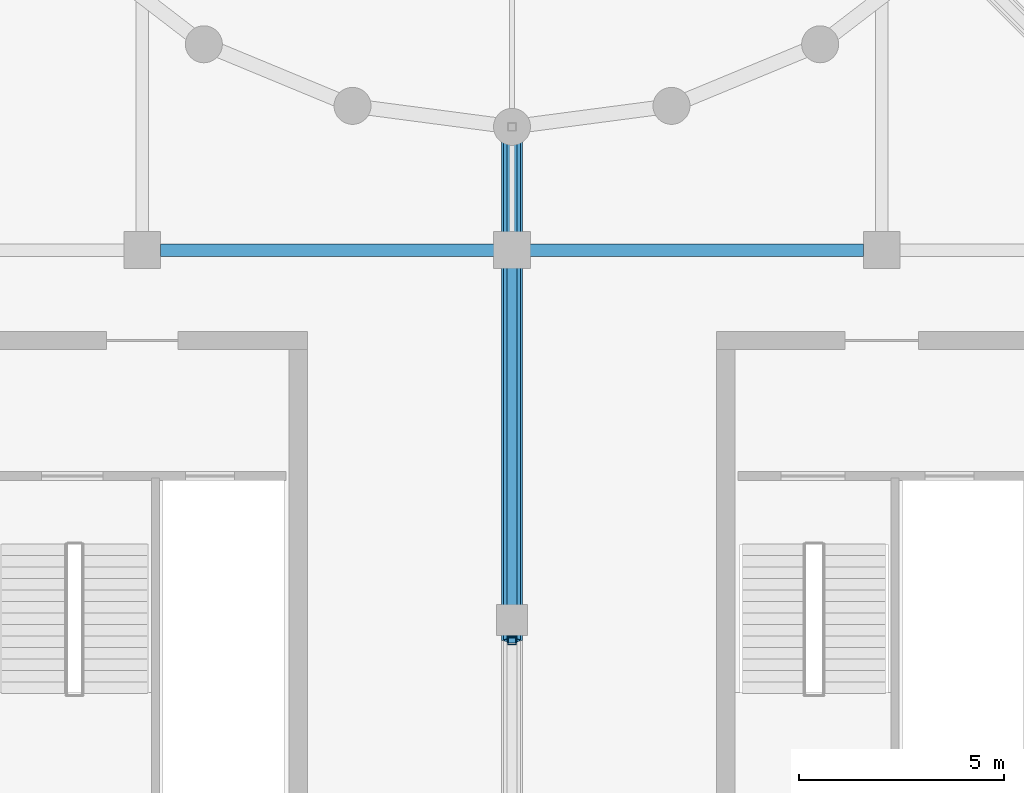
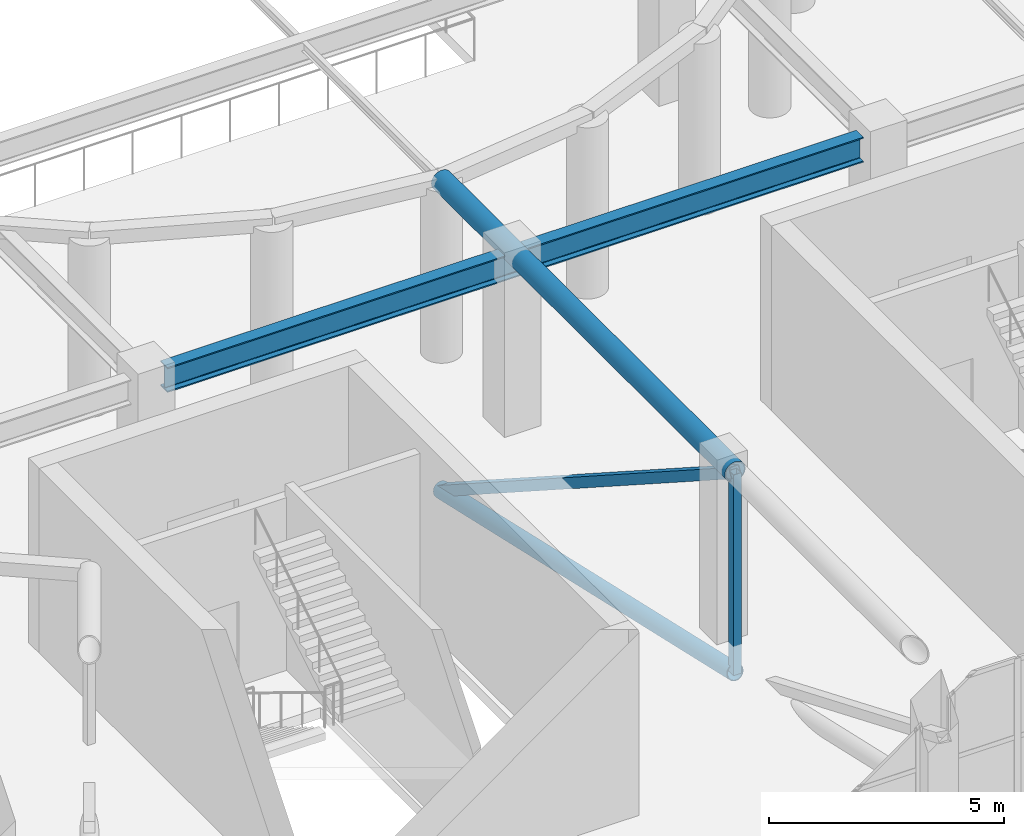
# One storey, part 30 of 167: 4 members, 1 beam.
"""IFC4 building model written with IfcOpenShell, lengths in metres."""

from ifc_helpers import new_model, si_unit, direction, frame, origin, origin_2d, place, context, subcontext, project, spatial, hollow_rectangle, hollow_circle, i_section, extrude, material, material_profile, profile_set, type_object, element, save


model = new_model("IFC4")

# Units and contexts
model_context = context("Model", 3, precision=1e-05, world=origin(), true_north=direction((0.0, 1.0)))
body_context = subcontext(model_context, "Body", "Model", "MODEL_VIEW")
ifc_project = project(units=[si_unit("LENGTHUNIT", "METRE"), si_unit("AREAUNIT", "SQUARE_METRE"), si_unit("VOLUMEUNIT", "CUBIC_METRE"), si_unit("PLANEANGLEUNIT", "RADIAN"), si_unit("MASSUNIT", "GRAM", prefix="KILO")], contexts=[model_context])

# Site, building, storey
site_placement = place(None, origin())
site = spatial("IfcSite", under=ifc_project, at=site_placement, CompositionType="ELEMENT")
building_placement = place(site_placement, origin())
building = spatial("IfcBuilding", under=site, at=building_placement, Name="Dornveld Trade and Exhibition Forum", CompositionType="ELEMENT")
storey_placement = place(building_placement, frame((0.0, 0.0, 16.800048828125)))
storey = spatial("IfcBuildingStorey", under=building, at=storey_placement, Name="L03", CompositionType="ELEMENT", Elevation=16.800048828125)

# Beam
ifc_material_1 = material(Name="Steel S355J2", Category="steel")
ifc_material_profile_1 = material_profile(ifc_material_1, i_section(OverallWidth=0.300048828125, OverallDepth=0.64990234375, WebThickness=0.01611328125, FlangeThickness=0.031005859375, FilletRadius=0.027099609375, at=origin_2d()), Name="HEB 650")
ifc_profile_set_1 = profile_set([ifc_material_profile_1], Name="Steel S355J2")
beam_type = type_object("IfcBeamType", Name="BM-GIR-HEB650", PredefinedType="USERDEFINED", material=ifc_profile_set_1)
beam_placement = place(storey_placement, frame((108.446044921875, 63.0, 4.15283203125), z_axis=(1.0, 0.0, 0.0), x_axis=(0.0, 1.0, 0.0)))
element("IfcBeam", 1, at=beam_placement, inside=storey, type_object=beam_type, Name="L03 X-girder 1652", ObjectType="GIRDER", PredefinedType="USERDEFINED", context=body_context, shape_type="SweptSolid", body=[
    extrude(i_section(OverallWidth=0.300048828125, OverallDepth=0.64990234375, WebThickness=0.01611328125, FlangeThickness=0.031005859375, FilletRadius=0.027099609375, at=origin_2d()), origin(), (0.0, 0.0, 1.0), 17.10791015625),
])

# Members
ifc_material_2 = material(Name="Steel S355J2", Category="steel")
ifc_material_profile_2 = material_profile(ifc_material_2, hollow_circle(Radius=0.203125, WallThickness=0.02001953125, at=origin_2d()), Name="CHS 406.4x20")
ifc_profile_set_2 = profile_set([ifc_material_profile_2], Name="Steel S355J2")
member_type_1 = type_object("IfcMemberType", Name="MEM-DISC-BC", PredefinedType="CHORD", material=ifc_profile_set_2)
member_1_placement = place(storey_placement, frame((117.0, 66.0, -3.60009765625), z_axis=(0.0, -0.975183720687, 0.221397179087), x_axis=(1.0, 0.0, 0.0)))
element("IfcMember", 2, at=member_1_placement, inside=storey, type_object=member_type_1, Name="Roof disc radial R19 conical bottom chord 1", PredefinedType="CHORD", context=body_context, shape_type="SweptSolid", body=[
    extrude(hollow_circle(Radius=0.203125, WallThickness=0.02001953125, at=origin_2d()), origin(), (0.0, 0.0, 1.0), 12.818115234375),
])
ifc_material_3 = material(Name="Steel S355J2", Category="steel")
ifc_material_profile_3 = material_profile(ifc_material_3, hollow_rectangle(XDim=0.199951171875, YDim=0.199951171875, WallThickness=0.010009765625, at=origin_2d()), Name="SHS 200x200x10")
ifc_profile_set_3 = profile_set([ifc_material_profile_3], Name="Steel S355J2")
member_type_2 = type_object("IfcMemberType", Name="MEM-DISC-STR", PredefinedType="STRUT", material=ifc_profile_set_3)
member_2_placement = place(storey_placement, frame((117.0, 53.5, -0.76220703125), z_axis=(0.0, 0.0, 1.0), x_axis=(1.0, 0.0, 0.0)))
element("IfcMember", 3, at=member_2_placement, inside=storey, type_object=member_type_2, Name="Roof disc radial R19 strut 2", PredefinedType="STRUT", context=body_context, shape_type="SweptSolid", body=[
    extrude(hollow_rectangle(XDim=0.199951171875, YDim=0.199951171875, WallThickness=0.010009765625, at=origin_2d()), origin(), (0.0, 0.0, 1.0), 5.212158203125),
])
ifc_material_4 = material(Name="Steel S355J2", Category="steel")
ifc_material_profile_4 = material_profile(ifc_material_4, hollow_circle(Radius=0.25390625, WallThickness=0.02490234375, at=origin_2d()), Name="CHS 508x25")
ifc_profile_set_4 = profile_set([ifc_material_profile_4], Name="Steel S355J2")
member_type_3 = type_object("IfcMemberType", Name="MEM-DISC-TC", PredefinedType="CHORD", material=ifc_profile_set_4)
member_3_placement = place(storey_placement, frame((117.0, 66.0, 4.449951171875), z_axis=(0.0, -1.0, 0.0), x_axis=(1.0, 0.0, 0.0)))
element("IfcMember", 4, at=member_3_placement, inside=storey, type_object=member_type_3, Name="Roof disc radial R19 top chord 1", PredefinedType="CHORD", context=body_context, shape_type="SweptSolid", body=[
    extrude(hollow_circle(Radius=0.25390625, WallThickness=0.02490234375, at=origin_2d()), origin(), (0.0, 0.0, 1.0), 12.5),
])
ifc_material_5 = material(Name="Steel S355J2", Category="steel")
ifc_material_profile_5 = material_profile(ifc_material_5, hollow_rectangle(XDim=0.25, YDim=0.25, WallThickness=0.012451171875, at=origin_2d()), Name="SHS 250x250x12.5")
ifc_profile_set_5 = profile_set([ifc_material_profile_5], Name="Steel S355J2")
member_type_4 = type_object("IfcMemberType", Name="MEM-DISC-WEB", PredefinedType="BRACE", material=ifc_profile_set_5)
member_4_placement = place(storey_placement, frame((117.0, 66.0, -3.60009765625), z_axis=(0.0, -0.840739641667, 0.541439613373), x_axis=(1.0, 0.0, 0.0)))
element("IfcMember", 5, at=member_4_placement, inside=storey, type_object=member_type_4, Name="Roof disc radial R19 web 1", PredefinedType="BRACE", context=body_context, shape_type="SweptSolid", body=[
    extrude(hollow_rectangle(XDim=0.25, YDim=0.25, WallThickness=0.012451171875, at=origin_2d()), origin(), (0.0, 0.0, 1.0), 14.867919921875),
])

save(model, "model.ifc")
